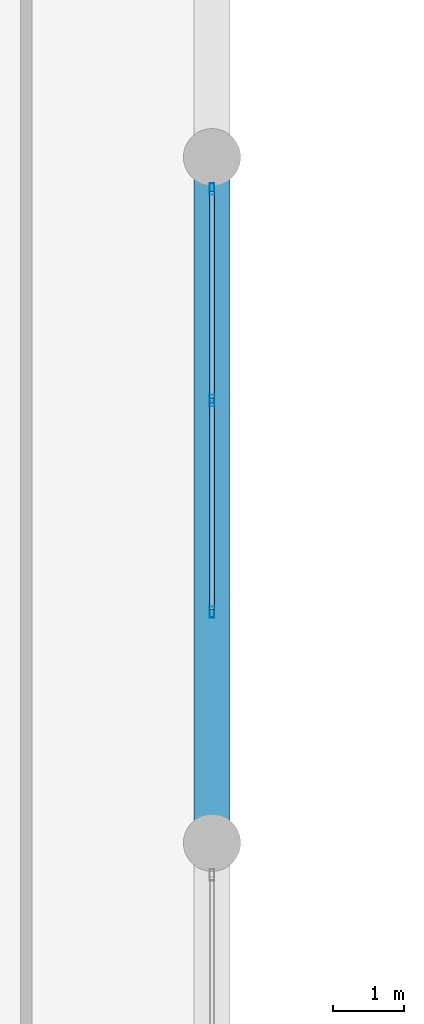
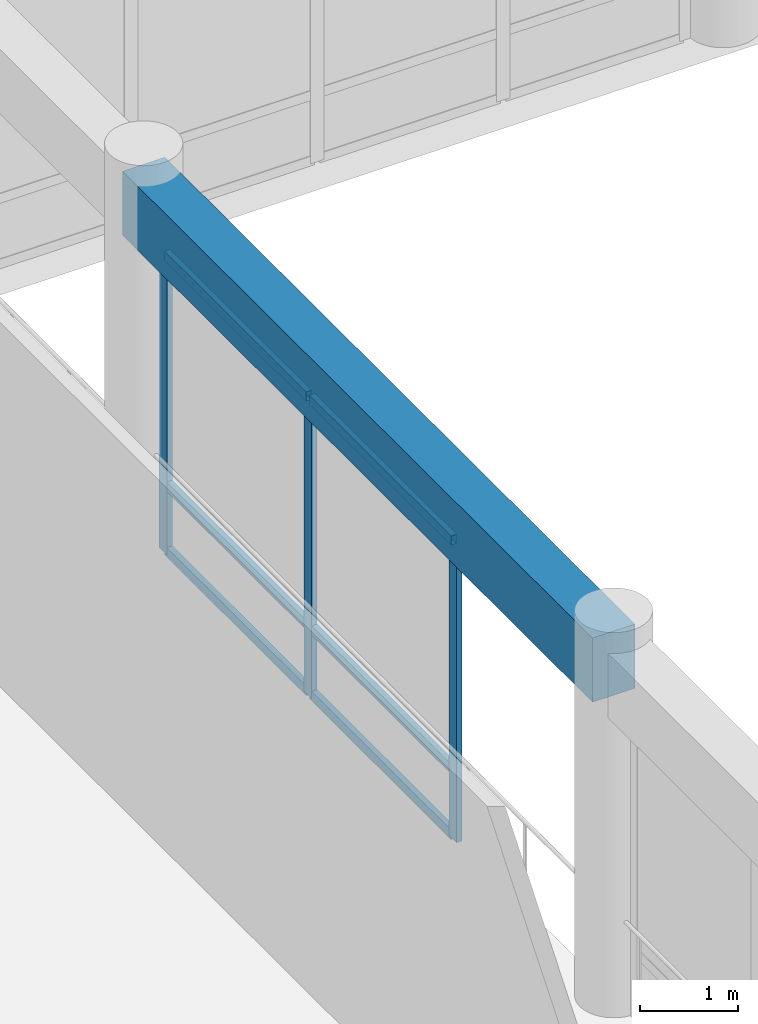
# One storey, part 18 of 101: 9 members, 1 beam, 1 element without a shape of its own.
"""IFC4 building model written with IfcOpenShell, lengths in metres."""

from ifc_helpers import new_model, si_unit, direction, frame, origin, origin_2d, place, context, subcontext, project, spatial, rectangle, hollow_rectangle, extrude, material, layer, layer_set, material_profile, profile_set, type_object, element, aggregate, save


model = new_model("IFC4")

# Units and contexts
model_context = context("Model", 3, precision=1e-05, world=origin(), true_north=direction((0.0, 1.0)))
body_context = subcontext(model_context, "Body", "Model", "MODEL_VIEW")
ifc_project = project(units=[si_unit("LENGTHUNIT", "METRE"), si_unit("AREAUNIT", "SQUARE_METRE"), si_unit("VOLUMEUNIT", "CUBIC_METRE"), si_unit("PLANEANGLEUNIT", "RADIAN"), si_unit("MASSUNIT", "GRAM", prefix="KILO")], contexts=[model_context])

# Site, building, storey
site_placement = place(None, origin())
site = spatial("IfcSite", under=ifc_project, at=site_placement, CompositionType="ELEMENT")
building_placement = place(site_placement, origin())
building = spatial("IfcBuilding", under=site, at=building_placement, Name="Nakhvara Creek Congress Hotel", CompositionType="ELEMENT")
storey_placement = place(building_placement, frame((0.0, 0.0, 16.199951171875)))
storey = spatial("IfcBuildingStorey", under=building, at=storey_placement, Name="L03", CompositionType="ELEMENT", Elevation=16.199951171875)

# Beam
ifc_material_1 = material(Name="Concrete C40/50", Category="concrete")
ifc_material_profile_1 = material_profile(ifc_material_1, rectangle(XDim=0.5, YDim=0.800048828125, at=origin_2d()), Name="RC-BM 500x800", Category="LoadBearing")
ifc_profile_set_1 = profile_set([ifc_material_profile_1], Name="Concrete C40/50")
beam_type = type_object("IfcBeamType", Name="BM-RC-500X800", PredefinedType="BEAM", material=ifc_profile_set_1)
beam_placement = place(storey_placement, frame((76.800048828125, 62.39990234375, 4.14013671875), z_axis=(0.0, 1.0, 0.0), x_axis=(-1.0, 0.0, 0.0)))
element("IfcBeam", 1, at=beam_placement, inside=storey, type_object=beam_type, Name="Beam B03-L03-1710", PredefinedType="BEAM", context=body_context, shape_type="SweptSolid", body=[
    extrude(rectangle(XDim=0.5, YDim=0.800048828125, at=origin_2d()), origin(), (0.0, 0.0, 1.0), 9.60009765625),
])

# Curtain wall, members
ifc_material_2 = material(Name="Bronze-anodised aluminium AW-6063-T6 and double-silver low-E glass", Category="aluminium")
ifc_layer = layer(ifc_material_2, 0.199951171875)
ifc_layer_set = layer_set([ifc_layer], Name="Bronze-anodised aluminium AW-6063-T6 and double-silver low-E glass")
curtain_wall_type = type_object("IfcCurtainWallType", Name="CW-POD-STICK", PredefinedType="NOTDEFINED", material=ifc_layer_set)
curtain_wall_placement = place(storey_placement, origin())
curtain_wall = element("IfcCurtainWall", 2, at=curtain_wall_placement, inside=storey, type_object=curtain_wall_type, Name="Curtain Wall CW063", PredefinedType="NOTDEFINED")
ifc_material_3 = material(Name="Bronze-anodised aluminium AW-6063-T6", Category="aluminium")
ifc_material_profile_2 = material_profile(ifc_material_3, hollow_rectangle(XDim=0.06494140625, YDim=0.159912109375, WallThickness=0.00390625, at=origin_2d()), Name="ALU-MULL 65x160x4", Category="LoadBearing")
ifc_profile_set_2 = profile_set([ifc_material_profile_2], Name="Bronze-anodised aluminium AW-6063-T6")
member_type_1 = type_object("IfcMemberType", Name="CW-MULL-160", PredefinedType="MULLION", material=ifc_profile_set_2)
member_1_placement = place(storey_placement, frame((76.800048828125, 71.552490234375, 0.0), z_axis=(0.0, 0.0, 1.0), x_axis=(1.0, 0.0, 0.0)))
member_1 = element("IfcMember", 3, at=member_1_placement, type_object=member_type_1, Name="CW063 mullion 1", PredefinedType="MULLION", context=body_context, shape_type="SweptSolid", body=[
    extrude(hollow_rectangle(XDim=0.06494140625, YDim=0.159912109375, WallThickness=0.00390625, at=origin_2d()), origin(), (0.0, 0.0, 1.0), 3.73193359375),
])
member_2_placement = place(storey_placement, frame((76.800048828125, 68.592529296875, 0.0), z_axis=(0.0, 0.0, 1.0), x_axis=(1.0, 0.0, 0.0)))
member_2 = element("IfcMember", 4, at=member_2_placement, type_object=member_type_1, Name="CW063 mullion 2", PredefinedType="MULLION", context=body_context, shape_type="SweptSolid", body=[
    extrude(hollow_rectangle(XDim=0.06494140625, YDim=0.159912109375, WallThickness=0.00390625, at=origin_2d()), origin(), (0.0, 0.0, 1.0), 3.73193359375),
])
member_3_placement = place(storey_placement, frame((76.800048828125, 65.632568359375, 0.0), z_axis=(0.0, 0.0, 1.0), x_axis=(1.0, 0.0, 0.0)))
member_3 = element("IfcMember", 5, at=member_3_placement, type_object=member_type_1, Name="CW063 mullion 3", PredefinedType="MULLION", context=body_context, shape_type="SweptSolid", body=[
    extrude(hollow_rectangle(XDim=0.06494140625, YDim=0.159912109375, WallThickness=0.00390625, at=origin_2d()), origin(), (0.0, 0.0, 1.0), 3.73193359375),
])
ifc_material_profile_3 = material_profile(ifc_material_3, hollow_rectangle(XDim=0.06494140625, YDim=0.1201171875, WallThickness=0.00390625, at=origin_2d()), Name="ALU-TRAN 65x120x4", Category="LoadBearing")
ifc_profile_set_3 = profile_set([ifc_material_profile_3], Name="Bronze-anodised aluminium AW-6063-T6")
member_type_2 = type_object("IfcMemberType", Name="CW-TRAN-120", PredefinedType="USERDEFINED", material=ifc_profile_set_3)
member_4_placement = place(storey_placement, frame((76.800048828125, 71.52001953125, 0.032470703125), z_axis=(0.0, -1.0, 0.0), x_axis=(1.0, 0.0, 0.0)))
member_4 = element("IfcMember", 6, at=member_4_placement, type_object=member_type_2, Name="CW063 transom 1.1", ObjectType="TRANSOM", PredefinedType="USERDEFINED", context=body_context, shape_type="SweptSolid", body=[
    extrude(hollow_rectangle(XDim=0.06494140625, YDim=0.1201171875, WallThickness=0.00390625, at=origin_2d()), origin(), (0.0, 0.0, 1.0), 2.89501953125),
])
member_5_placement = place(storey_placement, frame((76.800048828125, 71.52001953125, 0.85009765625), z_axis=(0.0, -1.0, 0.0), x_axis=(1.0, 0.0, 0.0)))
member_5 = element("IfcMember", 7, at=member_5_placement, type_object=member_type_2, Name="CW063 transom 1.2", ObjectType="TRANSOM", PredefinedType="USERDEFINED", context=body_context, shape_type="SweptSolid", body=[
    extrude(hollow_rectangle(XDim=0.06494140625, YDim=0.1201171875, WallThickness=0.00390625, at=origin_2d()), origin(), (0.0, 0.0, 1.0), 2.89501953125),
])
member_6_placement = place(storey_placement, frame((76.800048828125, 71.52001953125, 3.699462890625), z_axis=(0.0, -1.0, 0.0), x_axis=(1.0, 0.0, 0.0)))
member_6 = element("IfcMember", 8, at=member_6_placement, type_object=member_type_2, Name="CW063 transom 1.3", ObjectType="TRANSOM", PredefinedType="USERDEFINED", context=body_context, shape_type="SweptSolid", body=[
    extrude(hollow_rectangle(XDim=0.06494140625, YDim=0.1201171875, WallThickness=0.00390625, at=origin_2d()), origin(), (0.0, 0.0, 1.0), 2.89501953125),
])
member_7_placement = place(storey_placement, frame((76.800048828125, 68.56005859375, 0.032470703125), z_axis=(0.0, -1.0, 0.0), x_axis=(1.0, 0.0, 0.0)))
member_7 = element("IfcMember", 9, at=member_7_placement, type_object=member_type_2, Name="CW063 transom 2.1", ObjectType="TRANSOM", PredefinedType="USERDEFINED", context=body_context, shape_type="SweptSolid", body=[
    extrude(hollow_rectangle(XDim=0.06494140625, YDim=0.1201171875, WallThickness=0.00390625, at=origin_2d()), origin(), (0.0, 0.0, 1.0), 2.89501953125),
])
member_8_placement = place(storey_placement, frame((76.800048828125, 68.56005859375, 0.85009765625), z_axis=(0.0, -1.0, 0.0), x_axis=(1.0, 0.0, 0.0)))
member_8 = element("IfcMember", 10, at=member_8_placement, type_object=member_type_2, Name="CW063 transom 2.2", ObjectType="TRANSOM", PredefinedType="USERDEFINED", context=body_context, shape_type="SweptSolid", body=[
    extrude(hollow_rectangle(XDim=0.06494140625, YDim=0.1201171875, WallThickness=0.00390625, at=origin_2d()), origin(), (0.0, 0.0, 1.0), 2.89501953125),
])
member_9_placement = place(storey_placement, frame((76.800048828125, 68.56005859375, 3.699462890625), z_axis=(0.0, -1.0, 0.0), x_axis=(1.0, 0.0, 0.0)))
member_9 = element("IfcMember", 11, at=member_9_placement, type_object=member_type_2, Name="CW063 transom 2.3", ObjectType="TRANSOM", PredefinedType="USERDEFINED", context=body_context, shape_type="SweptSolid", body=[
    extrude(hollow_rectangle(XDim=0.06494140625, YDim=0.1201171875, WallThickness=0.00390625, at=origin_2d()), origin(), (0.0, 0.0, 1.0), 2.89501953125),
])
aggregate(curtain_wall, [member_1, member_2, member_3, member_4, member_5, member_6, member_7, member_8, member_9])

save(model, "model.ifc")
